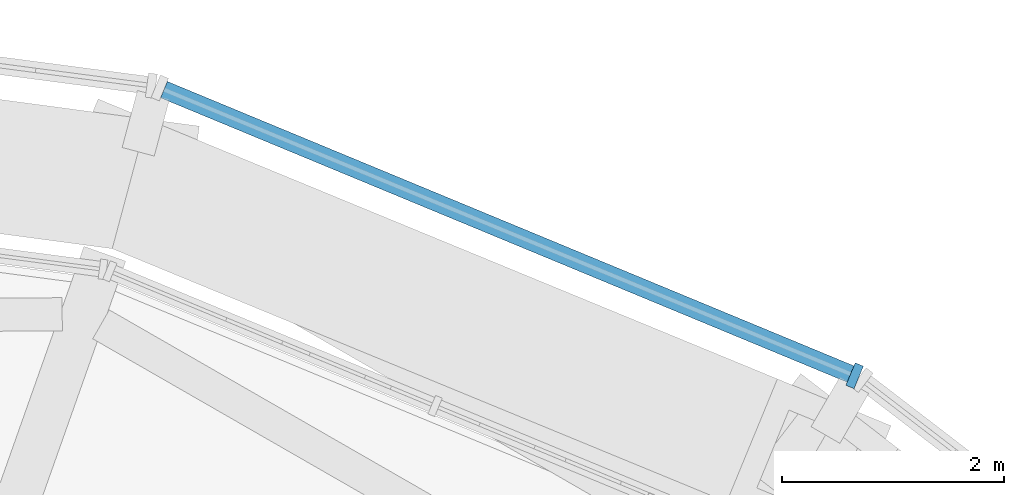
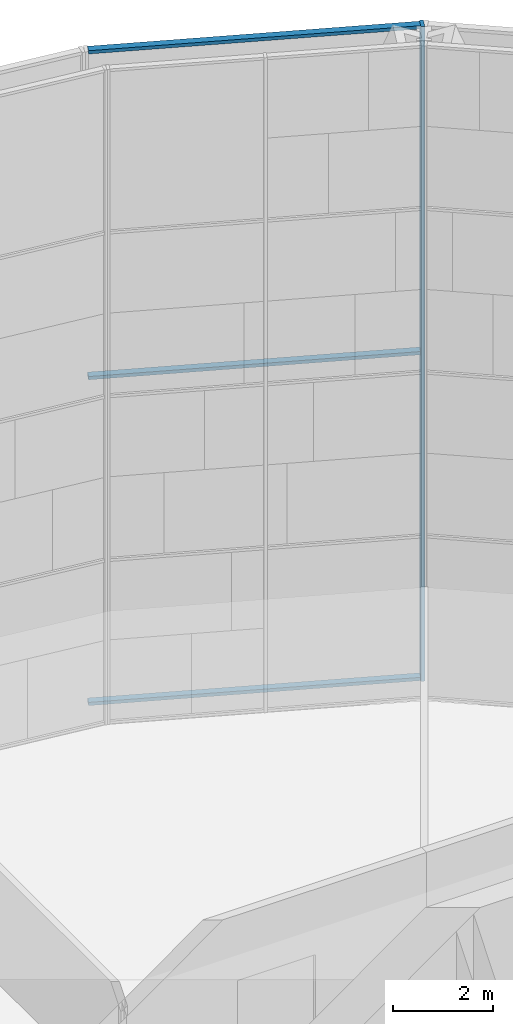
# One storey, part 12 of 30: 4 members, 1 element without a shape of its own.
"""IFC4 building model written with IfcOpenShell, lengths in metres."""

from ifc_helpers import new_model, si_unit, direction, frame, origin, origin_2d, place, context, subcontext, project, spatial, rectangle, extrude, material, material_profile, profile_set, type_object, element, aggregate, save


model = new_model("IFC4")

# Units and contexts
model_context = context("Model", 3, precision=1e-05, world=origin(), true_north=direction((0.0, 1.0)))
body_context = subcontext(model_context, "Body", "Model", "MODEL_VIEW")
ifc_project = project(units=[si_unit("LENGTHUNIT", "METRE"), si_unit("AREAUNIT", "SQUARE_METRE"), si_unit("VOLUMEUNIT", "CUBIC_METRE"), si_unit("PLANEANGLEUNIT", "RADIAN"), si_unit("MASSUNIT", "GRAM", prefix="KILO")], contexts=[model_context])

# Site, building, storey
site_placement = place(None, origin())
site = spatial("IfcSite", under=ifc_project, at=site_placement, CompositionType="ELEMENT")
building_placement = place(site_placement, origin())
building = spatial("IfcBuilding", under=site, at=building_placement, Name="Golbaran Civic Tower", CompositionType="ELEMENT")
storey_placement = place(building_placement, frame((0.0, 0.0, 102.0)))
storey = spatial("IfcBuildingStorey", under=building, at=storey_placement, Name="L24", CompositionType="ELEMENT", Elevation=102.0)

# Curtain wall, members
ifc_material_1 = material(Name="Aluminium and glass", Category="aluminium")
curtain_wall_type = type_object("IfcCurtainWallType", Name="OUTER SKIN TERRACOTTA SCREEN", PredefinedType="NOTDEFINED", material=ifc_material_1)
curtain_wall_placement = place(storey_placement, origin())
curtain_wall = element("IfcCurtainWall", 1, at=curtain_wall_placement, inside=storey, type_object=curtain_wall_type, Name="Outer skin L24 facet 5 CW3", ObjectType="OUTER SKIN", PredefinedType="USERDEFINED")
ifc_material_2 = material(Name="Aluminium", Category="aluminium")
ifc_material_profile_1 = material_profile(ifc_material_2, rectangle(XDim=0.219970703125, YDim=0.080078125, at=origin_2d()), Name="OUTER SKIN TERRACOTTA SCREEN MULLION")
ifc_profile_set_1 = profile_set([ifc_material_profile_1], Name="Aluminium")
member_type_1 = type_object("IfcMemberType", Name="OUTER SKIN TERRACOTTA SCREEN MULLION", PredefinedType="MULLION", material=ifc_profile_set_1)
member_1_placement = place(storey_placement, frame((13.109619140625, 22.78564453125, -0.7099609375), z_axis=(0.0, 0.0, 1.0), x_axis=(-0.382683432381, -0.923879532505, 0.0)))
member_1 = element("IfcMember", 2, at=member_1_placement, type_object=member_type_1, Name="CW3 mullion 1", PredefinedType="MULLION", context=body_context, shape_type="SweptSolid", body=[
    extrude(rectangle(XDim=0.219970703125, YDim=0.080078125, at=origin_2d()), origin(), (0.0, 0.0, 1.0), 16.0),
])
ifc_material_profile_2 = material_profile(ifc_material_2, rectangle(XDim=0.159912109375, YDim=0.080078125, at=origin_2d()), Name="OUTER SKIN TERRACOTTA SCREEN TRANSOM")
ifc_profile_set_2 = profile_set([ifc_material_profile_2], Name="Aluminium")
member_type_2 = type_object("IfcMemberType", Name="OUTER SKIN TERRACOTTA SCREEN TRANSOM", PredefinedType="USERDEFINED", material=ifc_profile_set_2)
member_2_placement = place(storey_placement, frame((13.072509765625, 22.801025390625, -0.669921875), z_axis=(-0.923876566489, 0.382690592899, 0.0), x_axis=(-0.382690592899, -0.923876566489, 0.0)))
member_2 = element("IfcMember", 3, at=member_2_placement, type_object=member_type_2, Name="CW3 transom 1.1", ObjectType="TRANSOM", PredefinedType="USERDEFINED", context=body_context, shape_type="SweptSolid", body=[
    extrude(rectangle(XDim=0.159912109375, YDim=0.080078125, at=origin_2d()), origin(), (0.0, 0.0, 1.0), 6.70361328125),
])
member_3_placement = place(storey_placement, frame((13.072509765625, 22.801025390625, 7.2900390625), z_axis=(-0.923876566489, 0.382690592899, 0.0), x_axis=(-0.382690592899, -0.923876566489, 0.0)))
member_3 = element("IfcMember", 4, at=member_3_placement, type_object=member_type_2, Name="CW3 transom 1.2", ObjectType="TRANSOM", PredefinedType="USERDEFINED", context=body_context, shape_type="SweptSolid", body=[
    extrude(rectangle(XDim=0.159912109375, YDim=0.080078125, at=origin_2d()), origin(), (0.0, 0.0, 1.0), 6.70361328125),
])
member_4_placement = place(storey_placement, frame((13.072509765625, 22.801025390625, 15.25), z_axis=(-0.923876566489, 0.382690592899, 0.0), x_axis=(-0.382690592899, -0.923876566489, 0.0)))
member_4 = element("IfcMember", 5, at=member_4_placement, type_object=member_type_2, Name="CW3 transom 1.3", ObjectType="TRANSOM", PredefinedType="USERDEFINED", context=body_context, shape_type="SweptSolid", body=[
    extrude(rectangle(XDim=0.159912109375, YDim=0.080078125, at=origin_2d()), origin(), (0.0, 0.0, 1.0), 6.70361328125),
])
aggregate(curtain_wall, [member_1, member_2, member_3, member_4])

save(model, "model.ifc")
